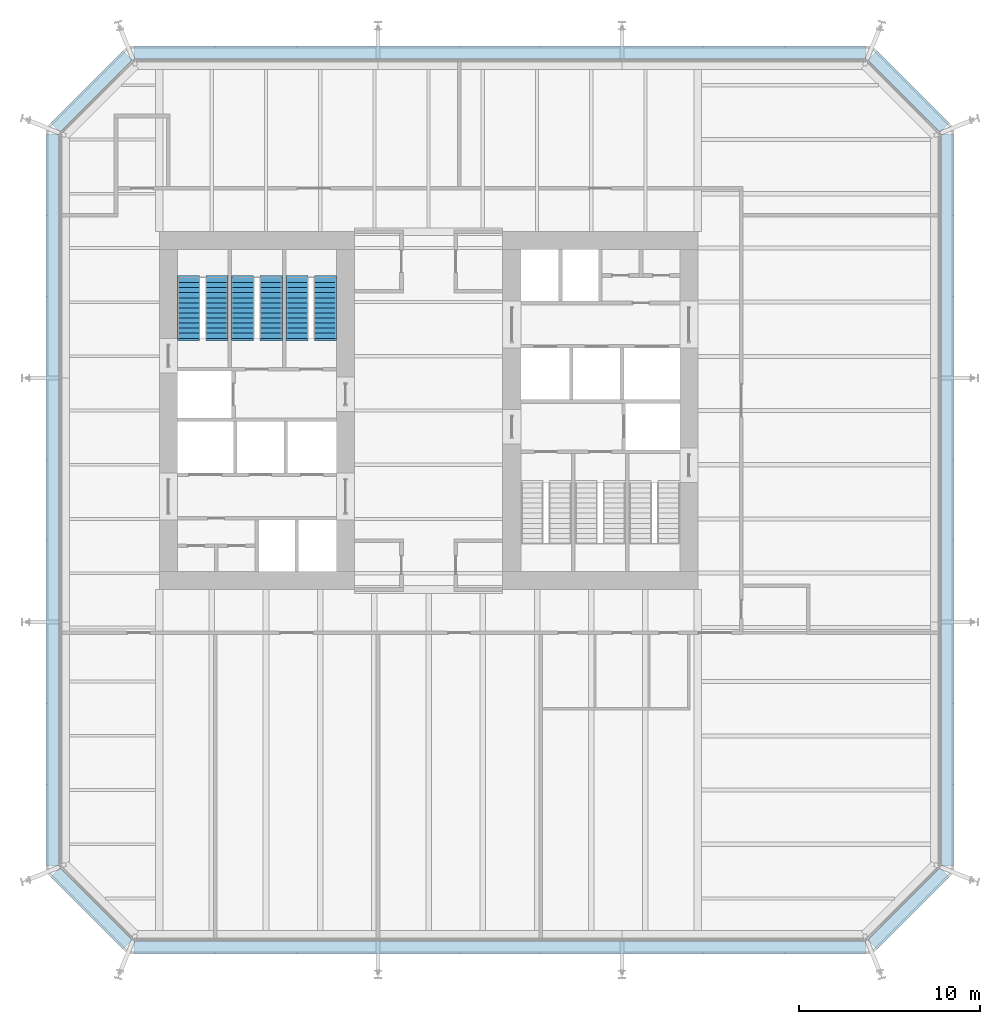
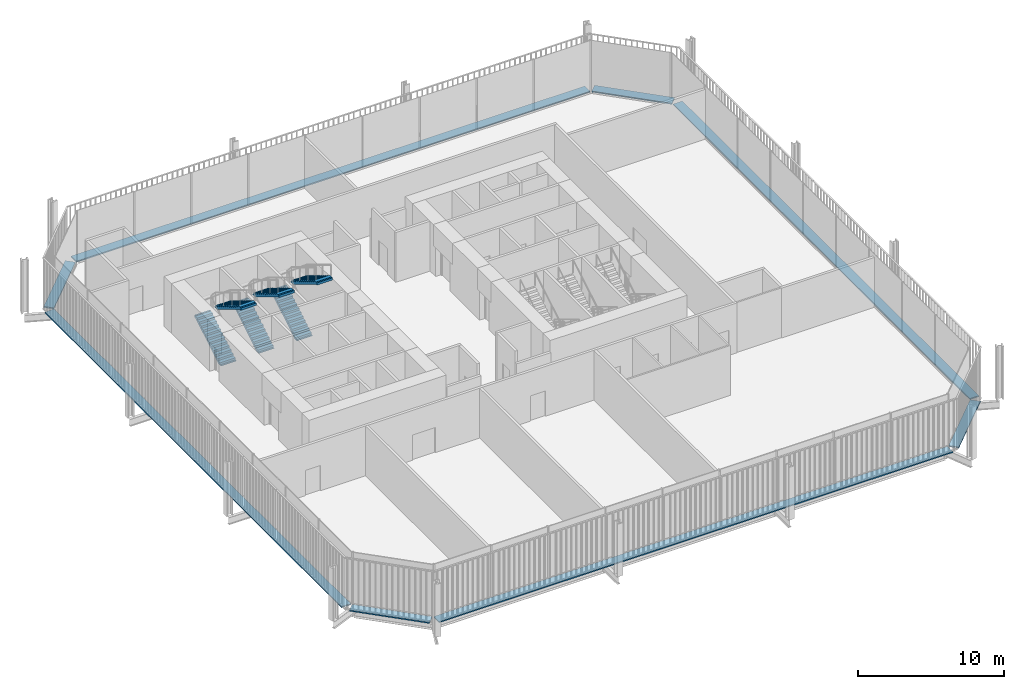
# One storey, part 19 of 20: 8 discrete accessories, 6 stair flights, 3 elements without a shape of their own.
"""IFC4 building model written with IfcOpenShell, lengths in metres."""

from ifc_helpers import new_model, si_unit, direction, frame, origin, origin_2d, place, context, subcontext, project, spatial, polyline, rectangle, outline, extrude, material, type_object, element, aggregate, save


model = new_model("IFC4")

# Units and contexts
model_context = context("Model", 3, precision=1e-05, world=origin(), true_north=direction((0.0, 1.0)))
body_context = subcontext(model_context, "Body", "Model", "MODEL_VIEW")
ifc_project = project(units=[si_unit("LENGTHUNIT", "METRE"), si_unit("AREAUNIT", "SQUARE_METRE"), si_unit("VOLUMEUNIT", "CUBIC_METRE"), si_unit("PLANEANGLEUNIT", "RADIAN"), si_unit("MASSUNIT", "GRAM", prefix="KILO")], contexts=[model_context])

# Site, building, storey
site_placement = place(None, origin())
site = spatial("IfcSite", under=ifc_project, at=site_placement, CompositionType="ELEMENT")
building_placement = place(site_placement, origin())
building = spatial("IfcBuilding", under=site, at=building_placement, Name="Millrace Tower", CompositionType="ELEMENT")
storey_placement = place(building_placement, frame((0.0, 0.0, 108.39990234375)))
storey = spatial("IfcBuildingStorey", under=building, at=storey_placement, Name="L24", CompositionType="ELEMENT", Elevation=108.39990234375)

# Stair, stair flights
ifc_material_1 = material(Name="Concrete C35", Category="concrete")
stair_type = type_object("IfcStairType", Name="Exit stair", PredefinedType="HALF_TURN_STAIR", material=ifc_material_1)
placement = place(storey_placement, origin())
stair_1 = element("IfcStair", 1, at=placement, inside=storey, type_object=stair_type, Name="Stair 1 W L24", PredefinedType="HALF_TURN_STAIR")
ifc_material_2 = material(Name="Concrete C35", Category="concrete")
stair_flight_type = type_object("IfcStairFlightType", Name="Exit stair flight", PredefinedType="STRAIGHT", material=ifc_material_2)
stair_flight_1_placement = place(storey_placement, frame((-13.2900390625, 4.0, 0.0), z_axis=(0.0, 0.0, 1.0), x_axis=(0.0, 1.0, 0.0)))
stair_flight_1 = element("IfcStairFlight", 2, at=stair_flight_1_placement, type_object=stair_flight_type, Name="ST12 flight 1", NumberOfRisers=13, NumberOfTreads=12, PredefinedType="STRAIGHT", RiserHeight=0.169230769, TreadLength=0.28, context=body_context, shape_type="SweptSolid", body=[
    extrude(outline(polyline([(-0.1201171875, -0.0400390625), (-0.1201171875, 0.0), (0.0, 0.0), (0.0, 0.169189453125), (0.280029296875, 0.169189453125), (0.280029296875, 0.33837890625), (0.56005859375, 0.33837890625), (0.56005859375, 0.5078125), (0.840087890625, 0.5078125), (0.840087890625, 0.677001953125), (1.1201171875, 0.677001953125), (1.1201171875, 0.84619140625), (1.39990234375, 0.84619140625), (1.39990234375, 1.015380859375), (1.679931640625, 1.015380859375), (1.679931640625, 1.1845703125), (1.9599609375, 1.1845703125), (1.9599609375, 1.353759765625), (2.239990234375, 1.353759765625), (2.239990234375, 1.523193359375), (2.52001953125, 1.523193359375), (2.52001953125, 1.6923828125), (2.800048828125, 1.6923828125), (2.800048828125, 1.861572265625), (3.080078125, 1.861572265625), (3.080078125, 2.03076171875), (3.360107421875, 2.03076171875), (3.360107421875, 2.05078125), (3.47998046875, 2.05078125), (3.47998046875, 1.855712890625), (3.360107421875, 1.855712890625), (0.289794921875, 0.0), (0.289794921875, -0.0400390625), (-0.1201171875, -0.0400390625)])), frame((0.0, 0.60986328125, 0.0), z_axis=(0.0, -1.0, 0.0), x_axis=(1.0, 0.0, 0.0)), (0.0, 0.0, 1.0), 1.219970703125),
])
stair_flight_2_placement = place(storey_placement, frame((-11.7099609375, 7.360107421875, 2.2001953125), z_axis=(0.0, 0.0, 1.0), x_axis=(0.0, -1.0, 0.0)))
stair_flight_2 = element("IfcStairFlight", 3, at=stair_flight_2_placement, type_object=stair_flight_type, Name="ST12 flight 2", NumberOfRisers=13, NumberOfTreads=12, PredefinedType="STRAIGHT", RiserHeight=0.169230769, TreadLength=0.28, context=body_context, shape_type="SweptSolid", body=[
    extrude(outline(polyline([(-0.1201171875, -0.0400390625), (-0.1201171875, 0.0), (0.0, 0.0), (0.0, 0.169189453125), (0.280029296875, 0.169189453125), (0.280029296875, 0.33837890625), (0.56005859375, 0.33837890625), (0.56005859375, 0.5078125), (0.840087890625, 0.5078125), (0.840087890625, 0.677001953125), (1.1201171875, 0.677001953125), (1.1201171875, 0.84619140625), (1.39990234375, 0.84619140625), (1.39990234375, 1.015380859375), (1.679931640625, 1.015380859375), (1.679931640625, 1.1845703125), (1.9599609375, 1.1845703125), (1.9599609375, 1.353759765625), (2.239990234375, 1.353759765625), (2.239990234375, 1.523193359375), (2.52001953125, 1.523193359375), (2.52001953125, 1.6923828125), (2.800048828125, 1.6923828125), (2.800048828125, 1.861572265625), (3.080078125, 1.861572265625), (3.080078125, 2.03076171875), (3.360107421875, 2.03076171875), (3.360107421875, 2.05078125), (3.47998046875, 2.05078125), (3.47998046875, 1.855712890625), (3.360107421875, 1.855712890625), (0.289794921875, 0.0), (0.289794921875, -0.0400390625), (-0.1201171875, -0.0400390625)])), frame((0.0, 0.60986328125, 0.0), z_axis=(0.0, -1.0, 0.0), x_axis=(1.0, 0.0, 0.0)), (0.0, 0.0, 1.0), 1.219970703125),
])
aggregate(stair_1, [stair_flight_1, stair_flight_2])

stair_2 = element("IfcStair", 4, at=placement, inside=storey, type_object=stair_type, Name="Stair 2 W L24", PredefinedType="HALF_TURN_STAIR")
stair_flight_3_placement = place(storey_placement, frame((-10.2900390625, 4.0, 0.0), z_axis=(0.0, 0.0, 1.0), x_axis=(0.0, 1.0, 0.0)))
stair_flight_3 = element("IfcStairFlight", 5, at=stair_flight_3_placement, type_object=stair_flight_type, Name="ST12 flight 1", NumberOfRisers=13, NumberOfTreads=12, PredefinedType="STRAIGHT", RiserHeight=0.169230769, TreadLength=0.28, context=body_context, shape_type="SweptSolid", body=[
    extrude(outline(polyline([(-0.1201171875, -0.0400390625), (-0.1201171875, 0.0), (0.0, 0.0), (0.0, 0.169189453125), (0.280029296875, 0.169189453125), (0.280029296875, 0.33837890625), (0.56005859375, 0.33837890625), (0.56005859375, 0.5078125), (0.840087890625, 0.5078125), (0.840087890625, 0.677001953125), (1.1201171875, 0.677001953125), (1.1201171875, 0.84619140625), (1.39990234375, 0.84619140625), (1.39990234375, 1.015380859375), (1.679931640625, 1.015380859375), (1.679931640625, 1.1845703125), (1.9599609375, 1.1845703125), (1.9599609375, 1.353759765625), (2.239990234375, 1.353759765625), (2.239990234375, 1.523193359375), (2.52001953125, 1.523193359375), (2.52001953125, 1.6923828125), (2.800048828125, 1.6923828125), (2.800048828125, 1.861572265625), (3.080078125, 1.861572265625), (3.080078125, 2.03076171875), (3.360107421875, 2.03076171875), (3.360107421875, 2.05078125), (3.47998046875, 2.05078125), (3.47998046875, 1.855712890625), (3.360107421875, 1.855712890625), (0.289794921875, 0.0), (0.289794921875, -0.0400390625), (-0.1201171875, -0.0400390625)])), frame((0.0, 0.60986328125, 0.0), z_axis=(0.0, -1.0, 0.0), x_axis=(1.0, 0.0, 0.0)), (0.0, 0.0, 1.0), 1.219970703125),
])
stair_flight_4_placement = place(storey_placement, frame((-8.7099609375, 7.360107421875, 2.2001953125), z_axis=(0.0, 0.0, 1.0), x_axis=(0.0, -1.0, 0.0)))
stair_flight_4 = element("IfcStairFlight", 6, at=stair_flight_4_placement, type_object=stair_flight_type, Name="ST12 flight 2", NumberOfRisers=13, NumberOfTreads=12, PredefinedType="STRAIGHT", RiserHeight=0.169230769, TreadLength=0.28, context=body_context, shape_type="SweptSolid", body=[
    extrude(outline(polyline([(-0.1201171875, -0.0400390625), (-0.1201171875, 0.0), (0.0, 0.0), (0.0, 0.169189453125), (0.280029296875, 0.169189453125), (0.280029296875, 0.33837890625), (0.56005859375, 0.33837890625), (0.56005859375, 0.5078125), (0.840087890625, 0.5078125), (0.840087890625, 0.677001953125), (1.1201171875, 0.677001953125), (1.1201171875, 0.84619140625), (1.39990234375, 0.84619140625), (1.39990234375, 1.015380859375), (1.679931640625, 1.015380859375), (1.679931640625, 1.1845703125), (1.9599609375, 1.1845703125), (1.9599609375, 1.353759765625), (2.239990234375, 1.353759765625), (2.239990234375, 1.523193359375), (2.52001953125, 1.523193359375), (2.52001953125, 1.6923828125), (2.800048828125, 1.6923828125), (2.800048828125, 1.861572265625), (3.080078125, 1.861572265625), (3.080078125, 2.03076171875), (3.360107421875, 2.03076171875), (3.360107421875, 2.05078125), (3.47998046875, 2.05078125), (3.47998046875, 1.855712890625), (3.360107421875, 1.855712890625), (0.289794921875, 0.0), (0.289794921875, -0.0400390625), (-0.1201171875, -0.0400390625)])), frame((0.0, 0.60986328125, 0.0), z_axis=(0.0, -1.0, 0.0), x_axis=(1.0, 0.0, 0.0)), (0.0, 0.0, 1.0), 1.219970703125),
])
aggregate(stair_2, [stair_flight_3, stair_flight_4])

stair_3 = element("IfcStair", 7, at=placement, inside=storey, type_object=stair_type, Name="Stair 3 W L24", PredefinedType="HALF_TURN_STAIR")
stair_flight_5_placement = place(storey_placement, frame((-7.2900390625, 4.0, 0.0), z_axis=(0.0, 0.0, 1.0), x_axis=(0.0, 1.0, 0.0)))
stair_flight_5 = element("IfcStairFlight", 8, at=stair_flight_5_placement, type_object=stair_flight_type, Name="ST12 flight 1", NumberOfRisers=13, NumberOfTreads=12, PredefinedType="STRAIGHT", RiserHeight=0.169230769, TreadLength=0.28, context=body_context, shape_type="SweptSolid", body=[
    extrude(outline(polyline([(-0.1201171875, -0.0400390625), (-0.1201171875, 0.0), (0.0, 0.0), (0.0, 0.169189453125), (0.280029296875, 0.169189453125), (0.280029296875, 0.33837890625), (0.56005859375, 0.33837890625), (0.56005859375, 0.5078125), (0.840087890625, 0.5078125), (0.840087890625, 0.677001953125), (1.1201171875, 0.677001953125), (1.1201171875, 0.84619140625), (1.39990234375, 0.84619140625), (1.39990234375, 1.015380859375), (1.679931640625, 1.015380859375), (1.679931640625, 1.1845703125), (1.9599609375, 1.1845703125), (1.9599609375, 1.353759765625), (2.239990234375, 1.353759765625), (2.239990234375, 1.523193359375), (2.52001953125, 1.523193359375), (2.52001953125, 1.6923828125), (2.800048828125, 1.6923828125), (2.800048828125, 1.861572265625), (3.080078125, 1.861572265625), (3.080078125, 2.03076171875), (3.360107421875, 2.03076171875), (3.360107421875, 2.05078125), (3.47998046875, 2.05078125), (3.47998046875, 1.855712890625), (3.360107421875, 1.855712890625), (0.289794921875, 0.0), (0.289794921875, -0.0400390625), (-0.1201171875, -0.0400390625)])), frame((0.0, 0.60986328125, 0.0), z_axis=(0.0, -1.0, 0.0), x_axis=(1.0, 0.0, 0.0)), (0.0, 0.0, 1.0), 1.219970703125),
])
stair_flight_6_placement = place(storey_placement, frame((-5.7099609375, 7.360107421875, 2.2001953125), z_axis=(0.0, 0.0, 1.0), x_axis=(0.0, -1.0, 0.0)))
stair_flight_6 = element("IfcStairFlight", 9, at=stair_flight_6_placement, type_object=stair_flight_type, Name="ST12 flight 2", NumberOfRisers=13, NumberOfTreads=12, PredefinedType="STRAIGHT", RiserHeight=0.169230769, TreadLength=0.28, context=body_context, shape_type="SweptSolid", body=[
    extrude(outline(polyline([(-0.1201171875, -0.0400390625), (-0.1201171875, 0.0), (0.0, 0.0), (0.0, 0.169189453125), (0.280029296875, 0.169189453125), (0.280029296875, 0.33837890625), (0.56005859375, 0.33837890625), (0.56005859375, 0.5078125), (0.840087890625, 0.5078125), (0.840087890625, 0.677001953125), (1.1201171875, 0.677001953125), (1.1201171875, 0.84619140625), (1.39990234375, 0.84619140625), (1.39990234375, 1.015380859375), (1.679931640625, 1.015380859375), (1.679931640625, 1.1845703125), (1.9599609375, 1.1845703125), (1.9599609375, 1.353759765625), (2.239990234375, 1.353759765625), (2.239990234375, 1.523193359375), (2.52001953125, 1.523193359375), (2.52001953125, 1.6923828125), (2.800048828125, 1.6923828125), (2.800048828125, 1.861572265625), (3.080078125, 1.861572265625), (3.080078125, 2.03076171875), (3.360107421875, 2.03076171875), (3.360107421875, 2.05078125), (3.47998046875, 2.05078125), (3.47998046875, 1.855712890625), (3.360107421875, 1.855712890625), (0.289794921875, 0.0), (0.289794921875, -0.0400390625), (-0.1201171875, -0.0400390625)])), frame((0.0, 0.60986328125, 0.0), z_axis=(0.0, -1.0, 0.0), x_axis=(1.0, 0.0, 0.0)), (0.0, 0.0, 1.0), 1.219970703125),
])
aggregate(stair_3, [stair_flight_5, stair_flight_6])

# Discrete accessories
ifc_material_3 = material(Name="Stainless steel ASTM A240 type 316", Category="steel")
discrete_accessory_type = type_object("IfcDiscreteAccessoryType", Name="Thermally broken screen support rail", PredefinedType="BRACKET", material=ifc_material_3)
discrete_accessory_1_placement = place(storey_placement, frame((-18.66064453125, -27.560546875, 0.0), z_axis=(0.0, 0.0, 1.0), x_axis=(0.707106781187, -0.707106781187, 0.0)))
element("IfcDiscreteAccessory", 10, at=discrete_accessory_1_placement, inside=storey, type_object=discrete_accessory_type, Name="Thermally broken screen support rail B-F01 L24 1", PredefinedType="BRACKET", context=body_context, shape_type="SweptSolid", body=[
    extrude(rectangle(XDim=5.65673828125, YDim=0.719970703125, at=origin_2d()), origin(), (0.0, 0.0, 1.0), 0.10009765625),
])
discrete_accessory_2_placement = place(storey_placement, frame((3.949951171875, -29.7099609375, 0.0), z_axis=(0.0, 0.0, 1.0), x_axis=(1.0, 0.0, 0.0)))
element("IfcDiscreteAccessory", 11, at=discrete_accessory_2_placement, inside=storey, type_object=discrete_accessory_type, Name="Thermally broken screen support rail B-F02 L24 1", PredefinedType="BRACKET", context=body_context, shape_type="SweptSolid", body=[
    extrude(rectangle(XDim=40.5, YDim=0.719970703125, at=origin_2d()), origin(), (0.0, 0.0, 1.0), 0.10009765625),
])
discrete_accessory_3_placement = place(storey_placement, frame((26.560546875, -27.560546875, 0.0), z_axis=(0.0, 0.0, 1.0), x_axis=(0.707106781187, 0.707106781187, 0.0)))
element("IfcDiscreteAccessory", 12, at=discrete_accessory_3_placement, inside=storey, type_object=discrete_accessory_type, Name="Thermally broken screen support rail B-F03 L24 1", PredefinedType="BRACKET", context=body_context, shape_type="SweptSolid", body=[
    extrude(rectangle(XDim=5.65673828125, YDim=0.719970703125, at=origin_2d()), origin(), (0.0, 0.0, 1.0), 0.10009765625),
])
discrete_accessory_4_placement = place(storey_placement, frame((28.7099609375, -4.949951171875, 0.0), z_axis=(0.0, 0.0, 1.0), x_axis=(0.0, 1.0, 0.0)))
element("IfcDiscreteAccessory", 13, at=discrete_accessory_4_placement, inside=storey, type_object=discrete_accessory_type, Name="Thermally broken screen support rail B-F04 L24 1", PredefinedType="BRACKET", context=body_context, shape_type="SweptSolid", body=[
    extrude(rectangle(XDim=40.5, YDim=0.719970703125, at=origin_2d()), origin(), (0.0, 0.0, 1.0), 0.10009765625),
])
discrete_accessory_5_placement = place(storey_placement, frame((26.560546875, 17.66064453125, 0.0), z_axis=(0.0, 0.0, 1.0), x_axis=(-0.707106781187, 0.707106781187, 0.0)))
element("IfcDiscreteAccessory", 14, at=discrete_accessory_5_placement, inside=storey, type_object=discrete_accessory_type, Name="Thermally broken screen support rail B-F05 L24 1", PredefinedType="BRACKET", context=body_context, shape_type="SweptSolid", body=[
    extrude(rectangle(XDim=5.65673828125, YDim=0.719970703125, at=origin_2d()), origin(), (0.0, 0.0, 1.0), 0.10009765625),
])
discrete_accessory_6_placement = place(storey_placement, frame((3.949951171875, 19.81005859375, 0.0), z_axis=(0.0, 0.0, 1.0), x_axis=(-1.0, 0.0, 0.0)))
element("IfcDiscreteAccessory", 15, at=discrete_accessory_6_placement, inside=storey, type_object=discrete_accessory_type, Name="Thermally broken screen support rail B-F06 L24 1", PredefinedType="BRACKET", context=body_context, shape_type="SweptSolid", body=[
    extrude(rectangle(XDim=40.5, YDim=0.719970703125, at=origin_2d()), origin(), (0.0, 0.0, 1.0), 0.10009765625),
])
discrete_accessory_7_placement = place(storey_placement, frame((-18.66064453125, 17.66064453125, 0.0), z_axis=(0.0, 0.0, 1.0), x_axis=(-0.707106781187, -0.707106781187, 0.0)))
element("IfcDiscreteAccessory", 16, at=discrete_accessory_7_placement, inside=storey, type_object=discrete_accessory_type, Name="Thermally broken screen support rail B-F07 L24 1", PredefinedType="BRACKET", context=body_context, shape_type="SweptSolid", body=[
    extrude(rectangle(XDim=5.65673828125, YDim=0.719970703125, at=origin_2d()), origin(), (0.0, 0.0, 1.0), 0.10009765625),
])
discrete_accessory_8_placement = place(storey_placement, frame((-20.81005859375, -4.949951171875, 0.0), z_axis=(0.0, 0.0, 1.0), x_axis=(0.0, -1.0, 0.0)))
element("IfcDiscreteAccessory", 17, at=discrete_accessory_8_placement, inside=storey, type_object=discrete_accessory_type, Name="Thermally broken screen support rail B-F08 L24 1", PredefinedType="BRACKET", context=body_context, shape_type="SweptSolid", body=[
    extrude(rectangle(XDim=40.5, YDim=0.719970703125, at=origin_2d()), origin(), (0.0, 0.0, 1.0), 0.10009765625),
])

save(model, "model.ifc")
